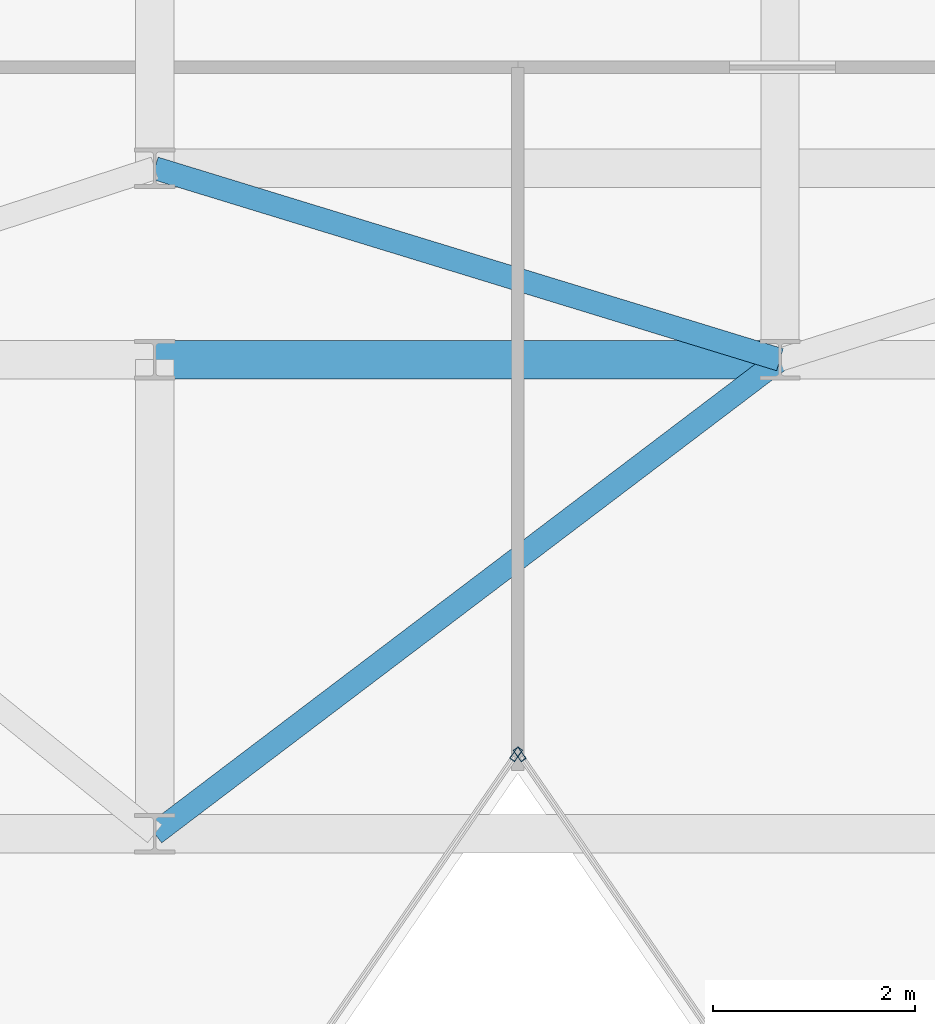
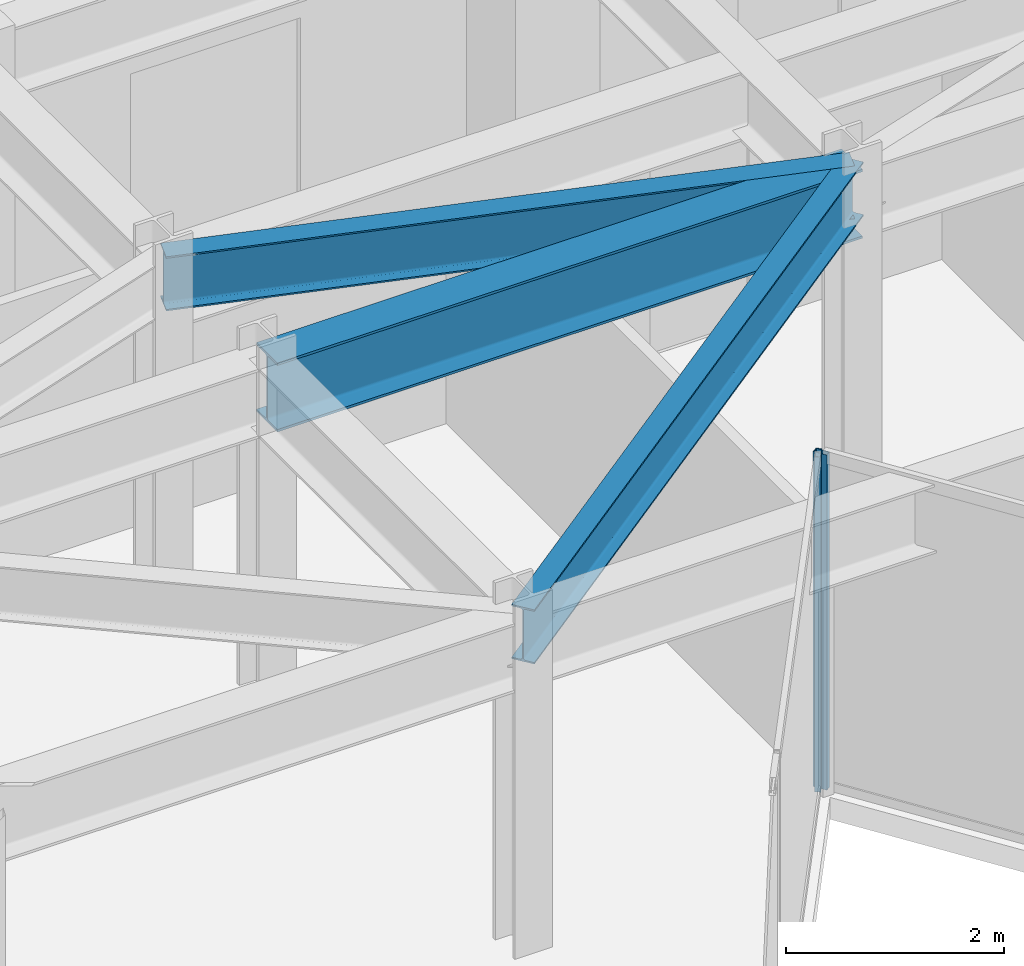
# One storey, part 14 of 27: 3 beams, 2 members, 2 elements without a shape of their own.
"""IFC4 building model written with IfcOpenShell, lengths in metres."""

import ifcopenshell
import ifcopenshell.guid

model = None  # the IFC model being written
_history = None  # IfcOwnerHistory: only IFC2X3 demands one
_inside = {}  # id of a spatial element -> (the spatial element, [elements in it])
_under = {}  # id of a project, library or spatial element -> (it, [spatial elements below it])
_declared = {}  # id of a project -> (the project, [libraries it declares])
_typed = {}  # id of a type object -> (the type object, [elements of that type])
_made_of = {}  # id of a material, layer set ... -> (it, [elements and type objects made of it])


def new_model(schema):
    """Start an empty IFC model of exactly this schema.

    Asked for "IFC4X3", IfcOpenShell would pick the latest addendum, in which some entities
    have other attributes; the version numbers below select the first issue.
    IFC2X3 requires an IfcOwnerHistory on every rooted entity: one is made here for all.
    """
    global model, _history
    if schema == "IFC4X3":
        model = ifcopenshell.file(schema_version=(4, 3, 0, 0))
    else:
        model = ifcopenshell.file(schema=schema)
    _inside.clear()
    _under.clear()
    _declared.clear()
    _typed.clear()
    _made_of.clear()
    _history = None
    if model.schema == "IFC2X3":
        org = make("IfcOrganization", Name="unknown")
        user = make(
            "IfcPersonAndOrganization",
            ThePerson=make("IfcPerson", FamilyName="unknown"),
            TheOrganization=org,
        )
        app = make(
            "IfcApplication",
            ApplicationDeveloper=org,
            Version="unknown",
            ApplicationFullName="unknown",
            ApplicationIdentifier="unknown",
        )
        _history = make(
            "IfcOwnerHistory",
            OwningUser=user,
            OwningApplication=app,
            ChangeAction="ADDED",
            CreationDate=0,
        )
    return model


def make(cls, **values):
    """One entity of the class cls with the attributes given. An attribute that is None is left unset."""
    return model.create_entity(
        cls, **{name: value for name, value in values.items() if value is not None}
    )


def rooted(cls, **values):
    """An entity with a GlobalId (a new one), such as an element, a storey or a relation."""
    return make(cls, GlobalId=ifcopenshell.guid.new(), OwnerHistory=_history, **values)


def si_unit(unit_type, name, prefix=None):
    """IfcSIUnit, for example si_unit("LENGTHUNIT", "METRE", prefix="MILLI")."""
    return make("IfcSIUnit", UnitType=unit_type, Prefix=prefix, Name=name)


def assignment(units):
    """IfcUnitAssignment: the units of a project."""
    return None if units is None else make("IfcUnitAssignment", Units=units)


def point(xyz):
    """IfcCartesianPoint."""
    return None if xyz is None else make("IfcCartesianPoint", Coordinates=xyz)


def direction(xyz):
    """IfcDirection."""
    return None if xyz is None else make("IfcDirection", DirectionRatios=xyz)


def frame(location, z_axis=None, x_axis=None):
    """IfcAxis2Placement3D, a coordinate frame: its origin and axes. An axis left out is left unset."""
    return make(
        "IfcAxis2Placement3D",
        Location=point(location),
        Axis=direction(z_axis),
        RefDirection=direction(x_axis),
    )


def frame_2d(location, x_axis=None):
    """IfcAxis2Placement2D, a coordinate frame in the plane: its origin and x axis."""
    return make(
        "IfcAxis2Placement2D", Location=point(location), RefDirection=direction(x_axis)
    )


def origin():
    """The frame at (0, 0, 0) with its axes left unset."""
    return frame((0.0, 0.0, 0.0))


def origin_2d():
    """The frame at (0, 0) in the plane with its x axis left unset."""
    return frame_2d((0.0, 0.0))


def place(relative_to, where):
    """IfcLocalPlacement: puts the frame where relative to a parent placement (None: the world)."""
    return make(
        "IfcLocalPlacement", PlacementRelTo=relative_to, RelativePlacement=where
    )


def context(
    kind, dimensions, precision=None, world=None, true_north=None, identifier=None
):
    """IfcGeometricRepresentationContext, for example the 3D "Model" context."""
    return make(
        "IfcGeometricRepresentationContext",
        ContextIdentifier=identifier,
        ContextType=kind,
        CoordinateSpaceDimension=dimensions,
        Precision=precision,
        WorldCoordinateSystem=world,
        TrueNorth=true_north,
    )


def subcontext(parent, identifier, kind, view, scale=None):
    """IfcGeometricRepresentationSubContext, for example "Body" below "Model"."""
    return make(
        "IfcGeometricRepresentationSubContext",
        ContextIdentifier=identifier,
        ContextType=kind,
        ParentContext=parent,
        TargetScale=scale,
        TargetView=view,
    )


def project(units=None, contexts=None):
    """IfcProject with its units and contexts."""
    return rooted(
        "IfcProject",
        Name="project",
        RepresentationContexts=contexts,
        UnitsInContext=assignment(units),
    )


def spatial(cls, under=None, at=None, **own):
    """A site, building, storey or space (cls), placed at a placement, below another one or the project."""
    s = rooted(cls, ObjectPlacement=at, **own)
    if under is not None:
        _under.setdefault(under.id(), (under, []))[1].append(s)
    return s


def profile(cls, at=None, kind="AREA", **sizes):
    """A parametric profile (cls). Its sizes go by their IFC names, for example OverallWidth=200.0."""
    return make(cls, ProfileType=kind, Position=at, **sizes)


def hollow_rectangle(**sizes):
    """IfcRectangleHollowProfileDef."""
    return profile("IfcRectangleHollowProfileDef", **sizes)


def i_section(**sizes):
    """IfcIShapeProfileDef."""
    return profile("IfcIShapeProfileDef", **sizes)


def extrude(swept, where, along, depth):
    """IfcExtrudedAreaSolid: the profile swept, set in the frame where, extruded along a direction by depth."""
    return make(
        "IfcExtrudedAreaSolid",
        SweptArea=swept,
        Position=where,
        ExtrudedDirection=direction(along),
        Depth=depth,
    )


def shape(context_of_items, identifier, shape_type, items):
    """IfcShapeRepresentation: the items that make up one representation, for example the "Body"."""
    return make(
        "IfcShapeRepresentation",
        ContextOfItems=context_of_items,
        RepresentationIdentifier=identifier,
        RepresentationType=shape_type,
        Items=items,
    )


def material(Name=None, Category=None):
    """IfcMaterial."""
    return make("IfcMaterial", Name=Name, Category=Category)


def layer(
    of_material, thickness, ventilated=None, Name=None, Category=None, Priority=None
):
    """IfcMaterialLayer: one layer of a wall or slab, of a material (None: an air gap)."""
    return make(
        "IfcMaterialLayer",
        Material=of_material,
        LayerThickness=thickness,
        IsVentilated=ventilated,
        Name=Name,
        Category=Category,
        Priority=Priority,
    )


def layer_set(layers, Name=None):
    """IfcMaterialLayerSet."""
    return make("IfcMaterialLayerSet", MaterialLayers=layers, LayerSetName=Name)


def material_profile(
    of_material, cross_section, Name=None, Category=None, Priority=None
):
    """IfcMaterialProfile: a cross section and its material."""
    return make(
        "IfcMaterialProfile",
        Name=Name,
        Material=of_material,
        Profile=cross_section,
        Priority=Priority,
        Category=Category,
    )


def profile_set(profiles, Name=None, composite=None):
    """IfcMaterialProfileSet."""
    return make(
        "IfcMaterialProfileSet",
        Name=Name,
        MaterialProfiles=profiles,
        CompositeProfile=composite,
    )


def made_of(thing, what):
    """Note that an element or type object is made of a material, layer set ...; save() writes the relation."""
    if what is not None:
        _made_of.setdefault(what.id(), (what, []))[1].append(thing)
    return thing


def type_object(cls, material=None, **own):
    """A type object (cls), such as IfcWallType, which elements share."""
    return made_of(rooted(cls, **own), material)


def element(
    cls,
    number,
    at=None,
    inside=None,
    cuts=None,
    type_object=None,
    material=None,
    context=None,
    identifier="Body",
    shape_type=None,
    held_by="IfcProductDefinitionShape",
    body=None,
    shapes=None,
    **own,
):
    """One element of the class cls, such as IfcWall. Its Tag is "e" and its number.

    at: its placement. inside: the storey or other place that contains it. cuts: it is an
    opening in that element (IfcRelVoidsElement). A single representation is given by context,
    identifier, shape_type and body (its items); several are given by shapes. held_by: the class
    of the entity that holds the representations. save() writes the other relations.
    """
    e = rooted(cls, Tag="e%d" % number, ObjectPlacement=at, **own)
    if body is not None:
        shapes = [shape(context, identifier, shape_type, body)]
    if shapes is not None:
        e.Representation = make(held_by, Representations=shapes)
    if inside is not None:
        _inside.setdefault(inside.id(), (inside, []))[1].append(e)
    if cuts is not None:
        rooted(
            "IfcRelVoidsElement", RelatingBuildingElement=cuts, RelatedOpeningElement=e
        )
    if type_object is not None:
        _typed.setdefault(type_object.id(), (type_object, []))[1].append(e)
    return made_of(e, material)


def aggregate(whole, parts):
    """IfcRelAggregates: a whole, such as a stair, and the parts it consists of."""
    return rooted("IfcRelAggregates", RelatingObject=whole, RelatedObjects=parts)


def save(model, path):
    """Write the relations noted so far, then the file.

    IfcRelAggregates (storeys below a building ...), IfcRelContainedInSpatialStructure (elements
    in a storey), IfcRelDefinesByType, IfcRelAssociatesMaterial and IfcRelDeclares: one each for
    every whole, place, type object, material and project.
    """
    for whole, parts in _under.values():
        aggregate(whole, parts)
    for where, things in _inside.values():
        rooted(
            "IfcRelContainedInSpatialStructure",
            RelatedElements=things,
            RelatingStructure=where,
        )
    for kind, things in _typed.values():
        rooted("IfcRelDefinesByType", RelatedObjects=things, RelatingType=kind)
    for what, things in _made_of.values():
        rooted("IfcRelAssociatesMaterial", RelatedObjects=things, RelatingMaterial=what)
    for by, libraries in _declared.values():
        rooted("IfcRelDeclares", RelatingContext=by, RelatedDefinitions=libraries)
    model.write(path)


model = new_model("IFC4")

# Units and contexts
model_context = context("Model", 3, precision=1e-05, world=origin(), true_north=direction((0.0, 1.0)))
body_context = subcontext(model_context, "Body", "Model", "MODEL_VIEW")
ifc_project = project(units=[si_unit("LENGTHUNIT", "METRE"), si_unit("AREAUNIT", "SQUARE_METRE"), si_unit("VOLUMEUNIT", "CUBIC_METRE"), si_unit("PLANEANGLEUNIT", "RADIAN"), si_unit("MASSUNIT", "GRAM", prefix="KILO")], contexts=[model_context])

# Site, building, storey
site_placement = place(None, origin())
site = spatial("IfcSite", under=ifc_project, at=site_placement, CompositionType="ELEMENT")
building_placement = place(site_placement, origin())
building = spatial("IfcBuilding", under=site, at=building_placement, Name="Kravanh Interchange Tower", CompositionType="ELEMENT")
storey_placement = place(building_placement, frame((0.0, 0.0, 196.5)))
storey = spatial("IfcBuildingStorey", under=building, at=storey_placement, Name="L47", CompositionType="ELEMENT", Elevation=196.5)

# Curtain wall, member
ifc_material_1 = material(Name="Anodised Bronze Aluminium", Category="aluminium")
ifc_layer = layer(ifc_material_1, 0.179931640625)
ifc_layer_set = layer_set([ifc_layer], Name="Unitised Curtain Wall System CW-Z3 Upper Office")
curtain_wall_type = type_object("IfcCurtainWallType", Name="Unitised Curtain Wall System CW-Z3 Upper Office", PredefinedType="NOTDEFINED", material=ifc_layer_set)
curtain_wall_1_placement = place(storey_placement, origin())
curtain_wall_1 = element("IfcCurtainWall", 1, at=curtain_wall_1_placement, inside=storey, type_object=curtain_wall_type, Name="L47 Unitised Curtain Wall CW-L47-04", PredefinedType="NOTDEFINED")
ifc_material_2 = material(Name="Anodised Bronze Aluminium", Category="aluminium")
ifc_material_profile_1 = material_profile(ifc_material_2, hollow_rectangle(XDim=0.06005859375, YDim=0.139892578125, WallThickness=0.00390625, at=origin_2d()), Name="ALU60X140X4")
ifc_profile_set_1 = profile_set([ifc_material_profile_1], Name="Anodised Bronze Aluminium")
member_type = type_object("IfcMemberType", Name="Curtain Wall Mullion ALU60X140X4 Bronze", PredefinedType="MULLION", material=ifc_profile_set_1)
member_1_placement = place(storey_placement, frame((42.217041015625, 27.587158203125, 0.0), z_axis=(0.0, 0.0, 1.0), x_axis=(-0.824042223035, -0.566528388217, 0.0)))
member_1 = element("IfcMember", 2, at=member_1_placement, type_object=member_type, Name="CW-Z3 mullion 5", PredefinedType="MULLION", context=body_context, shape_type="SweptSolid", body=[
    extrude(hollow_rectangle(XDim=0.06005859375, YDim=0.139892578125, WallThickness=0.00390625, at=origin_2d()), origin(), (0.0, 0.0, 1.0), 3.7548828125),
])
aggregate(curtain_wall_1, [member_1])

curtain_wall_2_placement = place(storey_placement, origin())
curtain_wall_2 = element("IfcCurtainWall", 3, at=curtain_wall_2_placement, inside=storey, type_object=curtain_wall_type, Name="L47 Unitised Curtain Wall CW-L47-05", PredefinedType="NOTDEFINED")
member_2_placement = place(storey_placement, frame((42.18310546875, 27.587158203125, 0.0), z_axis=(0.0, 0.0, 1.0), x_axis=(0.824042223035, -0.566528388217, 0.0)))
member_2 = element("IfcMember", 4, at=member_2_placement, type_object=member_type, Name="CW-Z3 mullion 1", PredefinedType="MULLION", context=body_context, shape_type="SweptSolid", body=[
    extrude(hollow_rectangle(XDim=0.06005859375, YDim=0.139892578125, WallThickness=0.00390625, at=origin_2d()), origin(), (0.0, 0.0, 1.0), 3.7548828125),
])
aggregate(curtain_wall_2, [member_2])

# Beams
ifc_material_3 = material(Name="Structural Steel S355", Category="steel")
ifc_material_profile_2 = material_profile(ifc_material_3, i_section(OverallWidth=0.381103515625, OverallDepth=0.77294921875, WebThickness=0.0166015625, FlangeThickness=0.027099609375, FilletRadius=0.02490234375, at=origin_2d()), Name="W30X173")
ifc_profile_set_2 = profile_set([ifc_material_profile_2], Name="Structural Steel S355")
beam_type_1 = type_object("IfcBeamType", Name="Floor Beam W30X173 Structural Steel S355", PredefinedType="BEAM", material=ifc_profile_set_2)
beam_1_placement = place(storey_placement, frame((38.60009765625, 31.5, 3.368408203125), z_axis=(1.0, 0.0, 0.0), x_axis=(0.0, 1.0, 0.0)))
element("IfcBeam", 5, at=beam_1_placement, inside=storey, type_object=beam_type_1, Name="L47 Primary Floor Girder 72", PredefinedType="BEAM", context=body_context, shape_type="SweptSolid", body=[
    extrude(i_section(OverallWidth=0.381103515625, OverallDepth=0.77294921875, WebThickness=0.0166015625, FlangeThickness=0.027099609375, FilletRadius=0.02490234375, at=origin_2d()), origin(), (0.0, 0.0, 1.0), 6.199951171875),
])
ifc_material_4 = material(Name="Structural Steel S355", Category="steel")
ifc_material_profile_3 = material_profile(ifc_material_4, i_section(OverallWidth=0.22802734375, OverallDepth=0.60791015625, WebThickness=0.01123046875, FlangeThickness=0.017333984375, FilletRadius=0.02197265625, at=origin_2d()), Name="W24X76")
ifc_profile_set_3 = profile_set([ifc_material_profile_3], Name="Structural Steel S355")
beam_type_2 = type_object("IfcBeamType", Name="Floor Spandrel W24X76 Structural Steel S355", PredefinedType="SPANDREL", material=ifc_profile_set_3)
beam_2_placement = place(storey_placement, frame((38.60009765625, 26.800048828125, 3.450927734375), z_axis=(0.796905365509, 0.604104161898, 0.0), x_axis=(-0.604104161898, 0.796905365509, 0.0)))
element("IfcBeam", 6, at=beam_2_placement, inside=storey, type_object=beam_type_2, Name="L47 Perimeter Spandrel 47", PredefinedType="SPANDREL", context=body_context, shape_type="SweptSolid", body=[
    extrude(i_section(OverallWidth=0.22802734375, OverallDepth=0.60791015625, WebThickness=0.01123046875, FlangeThickness=0.017333984375, FilletRadius=0.02197265625, at=origin_2d()), origin(), (0.0, 0.0, 1.0), 7.780029296875),
])
beam_3_placement = place(storey_placement, frame((44.800048828125, 31.5, 3.450927734375), z_axis=(-0.956115397264, 0.292990353279, 0.0), x_axis=(-0.292990353279, -0.956115397264, 0.0)))
element("IfcBeam", 7, at=beam_3_placement, inside=storey, type_object=beam_type_2, Name="L47 Perimeter Spandrel 76", PredefinedType="SPANDREL", context=body_context, shape_type="SweptSolid", body=[
    extrude(i_section(OverallWidth=0.22802734375, OverallDepth=0.60791015625, WebThickness=0.01123046875, FlangeThickness=0.017333984375, FilletRadius=0.02197265625, at=origin_2d()), origin(), (0.0, 0.0, 1.0), 6.484619140625),
])

save(model, "model.ifc")
